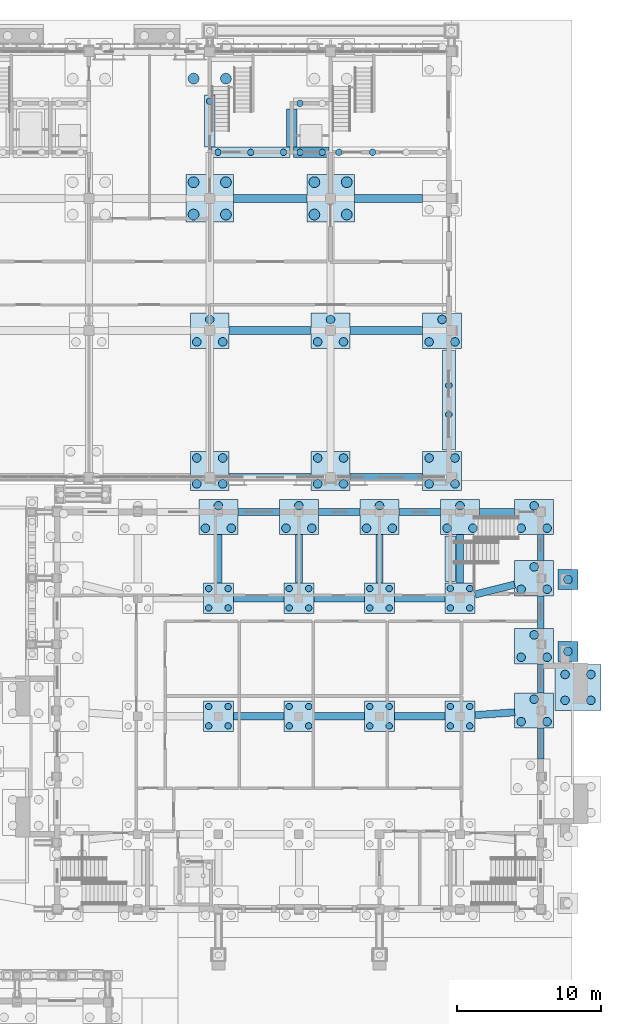
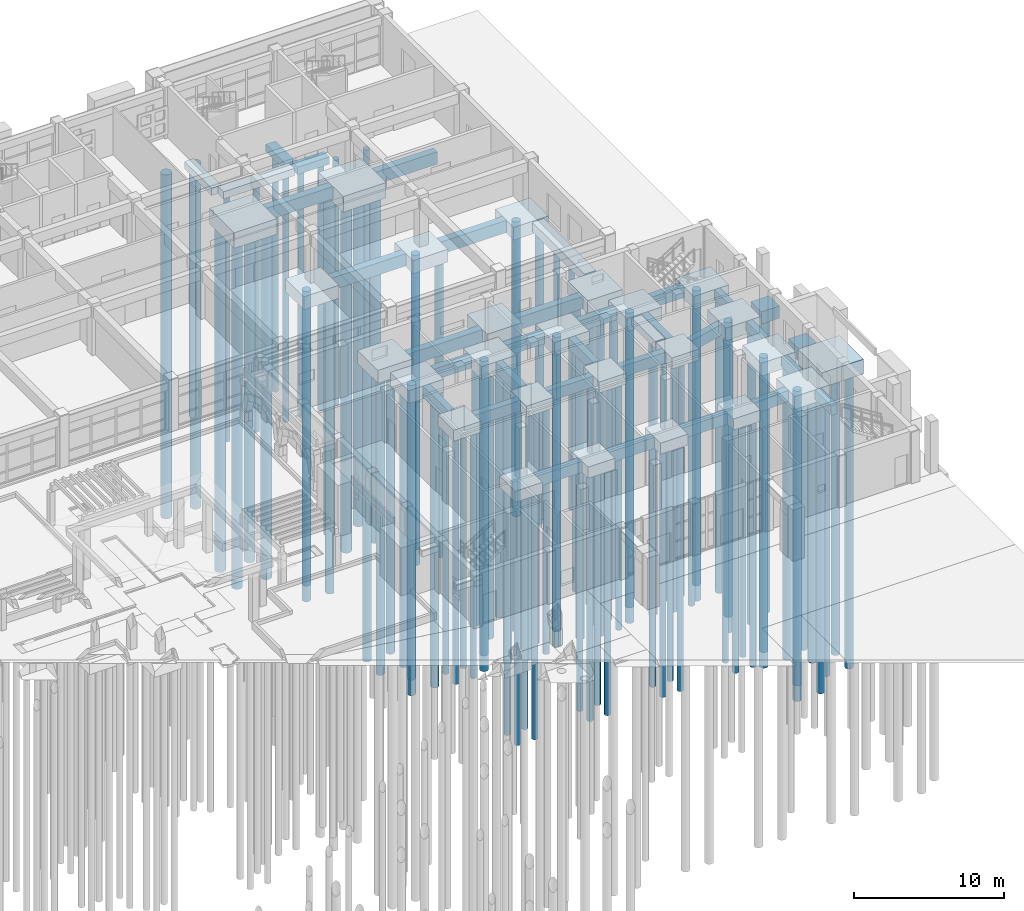
# One storey, part 10 of 112: 104 piles, 59 footings.
"""IFC4 building model written with IfcOpenShell, lengths in metres."""

from ifc_helpers import new_model, si_unit, direction, frame, origin, origin_2d, place, context, subcontext, project, spatial, rectangle, circle, extrude, material, material_profile, profile_set, type_object, element, save


model = new_model("IFC4")

# Units and contexts
model_context = context("Model", 3, precision=1e-05, world=origin(), true_north=direction((0.0, 1.0)))
body_context = subcontext(model_context, "Body", "Model", "MODEL_VIEW")
ifc_project = project(units=[si_unit("LENGTHUNIT", "METRE"), si_unit("AREAUNIT", "SQUARE_METRE"), si_unit("VOLUMEUNIT", "CUBIC_METRE"), si_unit("PLANEANGLEUNIT", "RADIAN"), si_unit("MASSUNIT", "GRAM", prefix="KILO")], contexts=[model_context])

# Site, building, storey
site_placement = place(None, origin())
site = spatial("IfcSite", under=ifc_project, at=site_placement, CompositionType="ELEMENT")
building_placement = place(site_placement, origin())
building = spatial("IfcBuilding", under=site, at=building_placement, Name="Wasatch Bagh Community Centre", CompositionType="ELEMENT")
storey_placement = place(building_placement, origin())
storey = spatial("IfcBuildingStorey", under=building, at=storey_placement, Name="L00", CompositionType="ELEMENT", Elevation=0.0)

# Footings
ifc_material_1 = material(Name="Concrete C35", Category="concrete")
footing_type_1 = type_object("IfcFootingType", Name="FD-GB-B", PredefinedType="FOOTING_BEAM", material=ifc_material_1)
footing_1_placement = place(storey_placement, frame((145.800048828125, 63.324951171875, -1.0), z_axis=(0.0, 0.0, 1.0), x_axis=(0.0, -1.0, 0.0)))
element("IfcFooting", 1, at=footing_1_placement, inside=storey, type_object=footing_type_1, Name="GB ground beam 307", PredefinedType="FOOTING_BEAM", context=body_context, shape_type="SweptSolid", body=[
    extrude(rectangle(XDim=1.791015625, YDim=0.449951171875, at=origin_2d()), origin(), (0.0, 0.0, 1.0), 0.800048828125),
])
footing_2_placement = place(storey_placement, frame((145.800048828125, 49.699951171875, -1.0), z_axis=(0.0, 0.0, 1.0), x_axis=(0.0, 1.0, 0.0)))
element("IfcFooting", 2, at=footing_2_placement, inside=storey, type_object=footing_type_1, Name="GB ground beam 313", PredefinedType="FOOTING_BEAM", context=body_context, shape_type="SweptSolid", body=[
    extrude(rectangle(XDim=2.14111328125, YDim=0.449951171875, at=origin_2d()), origin(), (0.0, 0.0, 1.0), 0.800048828125),
])
footing_3_placement = place(storey_placement, frame((145.800048828125, 54.237548828125, -1.0), z_axis=(0.0, 0.0, 1.0), x_axis=(0.0, 1.0, 0.0)))
element("IfcFooting", 3, at=footing_3_placement, inside=storey, type_object=footing_type_1, Name="GB ground beam 314", PredefinedType="FOOTING_BEAM", context=body_context, shape_type="SweptSolid", body=[
    extrude(rectangle(XDim=2.01611328125, YDim=0.449951171875, at=origin_2d()), origin(), (0.0, 0.0, 1.0), 0.800048828125),
])
footing_4_placement = place(storey_placement, frame((145.800048828125, 58.83740234375, -1.0), z_axis=(0.0, 0.0, 1.0), x_axis=(0.0, 1.0, 0.0)))
element("IfcFooting", 4, at=footing_4_placement, inside=storey, type_object=footing_type_1, Name="GB ground beam 315", PredefinedType="FOOTING_BEAM", context=body_context, shape_type="SweptSolid", body=[
    extrude(rectangle(XDim=2.26611328125, YDim=0.449951171875, at=origin_2d()), origin(), (0.0, 0.0, 1.0), 0.800048828125),
])
footing_type_2 = type_object("IfcFootingType", Name="FD-GB-C", PredefinedType="FOOTING_BEAM", material=ifc_material_1)
for number, where, z_axis, x_axis, name in (
    (5, (126.199951171875, 51.60009765625, -1.099853515625), (0.0, 0.0, 1.0), (1.0, 0.0, 0.0), "GB ground beam 277"),
    (6, (131.800048828125, 51.60009765625, -1.099853515625), (0.0, 0.0, 1.0), (1.0, 0.0, 0.0), "GB ground beam 278"),
    (7, (137.39990234375, 51.60009765625, -1.099853515625), (0.0, 0.0, 1.0), (1.0, 0.0, 0.0), "GB ground beam 279"),
):
    element("IfcFooting", number, at=place(storey_placement, frame(where, z_axis=z_axis, x_axis=x_axis)), inside=storey, type_object=footing_type_2, Name=name, PredefinedType="FOOTING_BEAM", context=body_context, shape_type="SweptSolid", body=[
        extrude(rectangle(XDim=3.5, YDim=0.5, at=origin_2d()), origin(), (0.0, 0.0, 1.0), 0.89990234375),
    ])
footing_5_placement = place(storey_placement, frame((142.625, 51.773193359375, -1.099853515625), z_axis=(0.0, 0.0, 1.0), x_axis=(0.997458699831, 0.071247049988, 0.0)))
element("IfcFooting", 8, at=footing_5_placement, inside=storey, type_object=footing_type_2, Name="GB ground beam 280", PredefinedType="FOOTING_BEAM", context=body_context, shape_type="SweptSolid", body=[
    extrude(rectangle(XDim=2.757080078125, YDim=0.5, at=origin_2d()), origin(), (0.0, 0.0, 1.0), 0.89990234375),
])
footing_6_placement = place(storey_placement, frame((126.199951171875, 59.800048828125, -1.099853515625), z_axis=(0.0, 0.0, 1.0), x_axis=(1.0, 0.0, 0.0)))
element("IfcFooting", 9, at=footing_6_placement, inside=storey, type_object=footing_type_2, Name="GB ground beam 284", PredefinedType="FOOTING_BEAM", context=body_context, shape_type="SweptSolid", body=[
    extrude(rectangle(XDim=3.5, YDim=0.5, at=origin_2d()), origin(), (0.0, 0.0, 1.0), 0.89990234375),
])
footing_7_placement = place(storey_placement, frame((123.39990234375, 62.53515625, -1.099853515625), z_axis=(0.0, 0.0, 1.0), x_axis=(0.0, 1.0, 0.0)))
element("IfcFooting", 10, at=footing_7_placement, inside=storey, type_object=footing_type_2, Name="GB ground beam 285", PredefinedType="FOOTING_BEAM", context=body_context, shape_type="SweptSolid", body=[
    extrude(rectangle(XDim=3.37060546875, YDim=0.5, at=origin_2d()), origin(), (0.0, 0.0, 1.0), 0.89990234375),
])
footing_8_placement = place(storey_placement, frame((131.800048828125, 59.800048828125, -1.099853515625), z_axis=(0.0, 0.0, 1.0), x_axis=(1.0, 0.0, 0.0)))
element("IfcFooting", 11, at=footing_8_placement, inside=storey, type_object=footing_type_2, Name="GB ground beam 286", PredefinedType="FOOTING_BEAM", context=body_context, shape_type="SweptSolid", body=[
    extrude(rectangle(XDim=3.5, YDim=0.5, at=origin_2d()), origin(), (0.0, 0.0, 1.0), 0.89990234375),
])
footing_9_placement = place(storey_placement, frame((129.0, 62.53515625, -1.099853515625), z_axis=(0.0, 0.0, 1.0), x_axis=(0.0, 1.0, 0.0)))
element("IfcFooting", 12, at=footing_9_placement, inside=storey, type_object=footing_type_2, Name="GB ground beam 287", PredefinedType="FOOTING_BEAM", context=body_context, shape_type="SweptSolid", body=[
    extrude(rectangle(XDim=3.37060546875, YDim=0.5, at=origin_2d()), origin(), (0.0, 0.0, 1.0), 0.89990234375),
])
footing_10_placement = place(storey_placement, frame((137.39990234375, 59.800048828125, -1.099853515625), z_axis=(0.0, 0.0, 1.0), x_axis=(1.0, 0.0, 0.0)))
element("IfcFooting", 13, at=footing_10_placement, inside=storey, type_object=footing_type_2, Name="GB ground beam 288", PredefinedType="FOOTING_BEAM", context=body_context, shape_type="SweptSolid", body=[
    extrude(rectangle(XDim=3.5, YDim=0.5, at=origin_2d()), origin(), (0.0, 0.0, 1.0), 0.89990234375),
])
for number, where, z_axis, x_axis, name in (
    (14, (134.60009765625, 62.53515625, -1.099853515625), (0.0, 0.0, 1.0), (0.0, 1.0, 0.0), "GB ground beam 289"),
    (15, (140.199951171875, 62.53515625, -1.099853515625), (0.0, 0.0, 1.0), (0.0, 1.0, 0.0), "GB ground beam 290"),
):
    element("IfcFooting", number, at=place(storey_placement, frame(where, z_axis=z_axis, x_axis=x_axis)), inside=storey, type_object=footing_type_2, Name=name, PredefinedType="FOOTING_BEAM", context=body_context, shape_type="SweptSolid", body=[
        extrude(rectangle(XDim=3.37060546875, YDim=0.5, at=origin_2d()), origin(), (0.0, 0.0, 1.0), 0.89990234375),
    ])
footing_11_placement = place(storey_placement, frame((142.625, 60.40625, -1.099853515625), z_axis=(0.0, 0.0, 1.0), x_axis=(0.970142500145, 0.242535625038, 0.0)))
element("IfcFooting", 16, at=footing_11_placement, inside=storey, type_object=footing_type_2, Name="GB ground beam 291", PredefinedType="FOOTING_BEAM", context=body_context, shape_type="SweptSolid", body=[
    extrude(rectangle(XDim=2.834716796875, YDim=0.5, at=origin_2d()), origin(), (0.0, 0.0, 1.0), 0.89990234375),
])
for number, where, z_axis, x_axis, name in (
    (17, (126.199951171875, 65.800048828125, -1.099853515625), (0.0, 0.0, 1.0), (1.0, 0.0, 0.0), "GB ground beam 303"),
    (18, (131.800048828125, 65.800048828125, -1.099853515625), (0.0, 0.0, 1.0), (1.0, 0.0, 0.0), "GB ground beam 304"),
    (19, (137.39990234375, 65.800048828125, -1.099853515625), (0.0, 0.0, 1.0), (1.0, 0.0, 0.0), "GB ground beam 305"),
):
    element("IfcFooting", number, at=place(storey_placement, frame(where, z_axis=z_axis, x_axis=x_axis)), inside=storey, type_object=footing_type_2, Name=name, PredefinedType="FOOTING_BEAM", context=body_context, shape_type="SweptSolid", body=[
        extrude(rectangle(XDim=2.89990234375, YDim=0.5, at=origin_2d()), origin(), (0.0, 0.0, 1.0), 0.89990234375),
    ])
footing_12_placement = place(storey_placement, frame((142.77490234375, 65.800048828125, -1.099853515625), z_axis=(0.0, 0.0, 1.0), x_axis=(1.0, 0.0, 0.0)))
element("IfcFooting", 20, at=footing_12_placement, inside=storey, type_object=footing_type_2, Name="GB ground beam 306", PredefinedType="FOOTING_BEAM", context=body_context, shape_type="SweptSolid", body=[
    extrude(rectangle(XDim=2.449951171875, YDim=0.5, at=origin_2d()), origin(), (0.0, 0.0, 1.0), 0.89990234375),
])
footing_type_3 = type_object("IfcFootingType", Name="FD-GB-D", PredefinedType="FOOTING_BEAM", material=ifc_material_1)
footing_13_placement = place(storey_placement, frame((127.0, 87.60009765625, -1.199951171875), z_axis=(0.0, 0.0, 1.0), x_axis=(1.0, 0.0, 0.0)))
element("IfcFooting", 21, at=footing_13_placement, inside=storey, type_object=footing_type_3, Name="GB ground beam 195", PredefinedType="FOOTING_BEAM", context=body_context, shape_type="SweptSolid", body=[
    extrude(rectangle(XDim=5.10009765625, YDim=0.550048828125, at=origin_2d()), origin(), (0.0, 0.0, 1.0), 1.0),
])
footing_14_placement = place(storey_placement, frame((135.22509765625, 87.60009765625, -1.199951171875), z_axis=(0.0, 0.0, 1.0), x_axis=(1.0, 0.0, 0.0)))
element("IfcFooting", 22, at=footing_14_placement, inside=storey, type_object=footing_type_3, Name="GB ground beam 196", PredefinedType="FOOTING_BEAM", context=body_context, shape_type="SweptSolid", body=[
    extrude(rectangle(XDim=4.75, YDim=0.550048828125, at=origin_2d()), origin(), (0.0, 0.0, 1.0), 1.0),
])
footing_15_placement = place(storey_placement, frame((127.0, 78.39990234375, -1.199951171875), z_axis=(0.0, 0.0, 1.0), x_axis=(1.0, 0.0, 0.0)))
element("IfcFooting", 23, at=footing_15_placement, inside=storey, type_object=footing_type_3, Name="GB ground beam 204", PredefinedType="FOOTING_BEAM", context=body_context, shape_type="SweptSolid", body=[
    extrude(rectangle(XDim=5.699951171875, YDim=0.550048828125, at=origin_2d()), origin(), (0.0, 0.0, 1.0), 1.0),
])
footing_16_placement = place(storey_placement, frame((135.074951171875, 78.39990234375, -1.199951171875), z_axis=(0.0, 0.0, 1.0), x_axis=(1.0, 0.0, 0.0)))
element("IfcFooting", 24, at=footing_16_placement, inside=storey, type_object=footing_type_3, Name="GB ground beam 205", PredefinedType="FOOTING_BEAM", context=body_context, shape_type="SweptSolid", body=[
    extrude(rectangle(XDim=5.050048828125, YDim=0.550048828125, at=origin_2d()), origin(), (0.0, 0.0, 1.0), 1.0),
])
footing_17_placement = place(storey_placement, frame((127.0, 68.199951171875, -1.199951171875), z_axis=(0.0, 0.0, 1.0), x_axis=(1.0, 0.0, 0.0)))
element("IfcFooting", 25, at=footing_17_placement, inside=storey, type_object=footing_type_3, Name="GB ground beam 222", PredefinedType="FOOTING_BEAM", context=body_context, shape_type="SweptSolid", body=[
    extrude(rectangle(XDim=5.699951171875, YDim=0.550048828125, at=origin_2d()), origin(), (0.0, 0.0, 1.0), 1.0),
])
footing_18_placement = place(storey_placement, frame((135.074951171875, 68.199951171875, -1.199951171875), z_axis=(0.0, 0.0, 1.0), x_axis=(1.0, 0.0, 0.0)))
element("IfcFooting", 26, at=footing_18_placement, inside=storey, type_object=footing_type_3, Name="GB ground beam 223", PredefinedType="FOOTING_BEAM", context=body_context, shape_type="SweptSolid", body=[
    extrude(rectangle(XDim=5.050048828125, YDim=0.550048828125, at=origin_2d()), origin(), (0.0, 0.0, 1.0), 1.0),
])

# Piles
ifc_material_2 = material(Name="Concrete C30", Category="concrete")
ifc_material_profile_1 = material_profile(ifc_material_2, circle(Radius=0.22509765625, at=origin_2d()), Name="RC D450")
ifc_profile_set_1 = profile_set([ifc_material_profile_1], Name="Concrete C30")
pile_type_1 = type_object("IfcPileType", Name="FD-P450", PredefinedType="BORED", material=ifc_profile_set_1)
for number, where, z_axis, x_axis, name in (
    (27, (122.72509765625, 50.925048828125, -1.10009765625), (0.0, 0.0, -1.0), (1.0, 0.0, 0.0), "P pile 274.1"),
    (28, (124.074951171875, 50.925048828125, -1.10009765625), (0.0, 0.0, -1.0), (1.0, 0.0, 0.0), "P pile 274.2"),
    (29, (122.72509765625, 52.27490234375, -1.10009765625), (0.0, 0.0, -1.0), (1.0, 0.0, 0.0), "P pile 274.3"),
    (30, (124.074951171875, 52.27490234375, -1.10009765625), (0.0, 0.0, -1.0), (1.0, 0.0, 0.0), "P pile 274.4"),
    (31, (128.324951171875, 50.925048828125, -1.10009765625), (0.0, 0.0, -1.0), (1.0, 0.0, 0.0), "P pile 275.1"),
    (32, (129.675048828125, 50.925048828125, -1.10009765625), (0.0, 0.0, -1.0), (1.0, 0.0, 0.0), "P pile 275.2"),
    (33, (128.324951171875, 52.27490234375, -1.10009765625), (0.0, 0.0, -1.0), (1.0, 0.0, 0.0), "P pile 275.3"),
    (34, (129.675048828125, 52.27490234375, -1.10009765625), (0.0, 0.0, -1.0), (1.0, 0.0, 0.0), "P pile 275.4"),
    (35, (133.925048828125, 50.925048828125, -1.10009765625), (0.0, 0.0, -1.0), (1.0, 0.0, 0.0), "P pile 276.1"),
    (36, (135.27490234375, 50.925048828125, -1.10009765625), (0.0, 0.0, -1.0), (1.0, 0.0, 0.0), "P pile 276.2"),
    (37, (133.925048828125, 52.27490234375, -1.10009765625), (0.0, 0.0, -1.0), (1.0, 0.0, 0.0), "P pile 276.3"),
    (38, (135.27490234375, 52.27490234375, -1.10009765625), (0.0, 0.0, -1.0), (1.0, 0.0, 0.0), "P pile 276.4"),
    (39, (139.52490234375, 50.925048828125, -1.10009765625), (0.0, 0.0, -1.0), (1.0, 0.0, 0.0), "P pile 277.1"),
    (40, (140.875, 50.925048828125, -1.10009765625), (0.0, 0.0, -1.0), (1.0, 0.0, 0.0), "P pile 277.2"),
    (41, (139.52490234375, 52.27490234375, -1.10009765625), (0.0, 0.0, -1.0), (1.0, 0.0, 0.0), "P pile 277.3"),
    (42, (140.875, 52.27490234375, -1.10009765625), (0.0, 0.0, -1.0), (1.0, 0.0, 0.0), "P pile 277.4"),
    (43, (122.72509765625, 59.125, -1.10009765625), (0.0, 0.0, -1.0), (1.0, 0.0, 0.0), "P pile 283.1"),
    (44, (124.074951171875, 59.125, -1.10009765625), (0.0, 0.0, -1.0), (1.0, 0.0, 0.0), "P pile 283.2"),
    (45, (122.72509765625, 60.47509765625, -1.10009765625), (0.0, 0.0, -1.0), (1.0, 0.0, 0.0), "P pile 283.3"),
    (46, (124.074951171875, 60.47509765625, -1.10009765625), (0.0, 0.0, -1.0), (1.0, 0.0, 0.0), "P pile 283.4"),
    (47, (128.324951171875, 59.125, -1.10009765625), (0.0, 0.0, -1.0), (1.0, 0.0, 0.0), "P pile 284.1"),
    (48, (129.675048828125, 59.125, -1.10009765625), (0.0, 0.0, -1.0), (1.0, 0.0, 0.0), "P pile 284.2"),
    (49, (128.324951171875, 60.47509765625, -1.10009765625), (0.0, 0.0, -1.0), (1.0, 0.0, 0.0), "P pile 284.3"),
    (50, (129.675048828125, 60.47509765625, -1.10009765625), (0.0, 0.0, -1.0), (1.0, 0.0, 0.0), "P pile 284.4"),
    (51, (133.925048828125, 59.125, -1.10009765625), (0.0, 0.0, -1.0), (1.0, 0.0, 0.0), "P pile 285.1"),
    (52, (135.27490234375, 59.125, -1.10009765625), (0.0, 0.0, -1.0), (1.0, 0.0, 0.0), "P pile 285.2"),
    (53, (133.925048828125, 60.47509765625, -1.10009765625), (0.0, 0.0, -1.0), (1.0, 0.0, 0.0), "P pile 285.3"),
    (54, (135.27490234375, 60.47509765625, -1.10009765625), (0.0, 0.0, -1.0), (1.0, 0.0, 0.0), "P pile 285.4"),
    (55, (139.52490234375, 59.125, -1.10009765625), (0.0, 0.0, -1.0), (1.0, 0.0, 0.0), "P pile 286.1"),
    (56, (140.875, 59.125, -1.10009765625), (0.0, 0.0, -1.0), (1.0, 0.0, 0.0), "P pile 286.2"),
    (57, (139.52490234375, 60.47509765625, -1.10009765625), (0.0, 0.0, -1.0), (1.0, 0.0, 0.0), "P pile 286.3"),
    (58, (140.875, 60.47509765625, -1.10009765625), (0.0, 0.0, -1.0), (1.0, 0.0, 0.0), "P pile 286.4"),
    (59, (123.375, 90.800048828125, -0.800048828125), (0.0, 0.0, -1.0), (1.0, 0.0, 0.0), "P pile SF27.1"),
    (60, (125.64990234375, 90.800048828125, -0.800048828125), (0.0, 0.0, -1.0), (1.0, 0.0, 0.0), "P pile SF27.2"),
    (61, (127.925048828125, 90.800048828125, -0.800048828125), (0.0, 0.0, -1.0), (1.0, 0.0, 0.0), "P pile SF27.3"),
    (62, (129.074951171875, 90.800048828125, -0.800048828125), (0.0, 0.0, -1.0), (1.0, 0.0, 0.0), "P pile SF28.1"),
    (63, (130.625, 90.800048828125, -0.800048828125), (0.0, 0.0, -1.0), (1.0, 0.0, 0.0), "P pile SF28.2"),
    (64, (131.77490234375, 90.800048828125, -0.800048828125), (0.0, 0.0, -1.0), (1.0, 0.0, 0.0), "P pile SF29.1"),
    (65, (134.11669921875, 90.800048828125, -0.800048828125), (0.0, 0.0, -1.0), (1.0, 0.0, 0.0), "P pile SF29.2"),
    (66, (129.074951171875, 94.199951171875, -0.800048828125), (0.0, 0.0, -1.0), (1.0, 0.0, 0.0), "P pile SF33.1"),
    (67, (122.800048828125, 94.35009765625, -0.800048828125), (0.0, 0.0, -1.0), (1.0, 0.0, 0.0), "P pile SF42.1"),
    (68, (139.425048828125, 74.596923828125, -0.949951171875), (0.0, 0.0, -1.0), (1.0, 0.0, 0.0), "P pile SF44.1"),
    (69, (139.425048828125, 72.573486328125, -0.949951171875), (0.0, 0.0, -1.0), (1.0, 0.0, 0.0), "P pile SF44.2"),
):
    element("IfcPile", number, at=place(storey_placement, frame(where, z_axis=z_axis, x_axis=x_axis)), inside=storey, type_object=pile_type_1, Name=name, PredefinedType="BORED", context=body_context, shape_type="SweptSolid", body=[
        extrude(circle(Radius=0.22509765625, at=origin_2d()), origin(), (0.0, 0.0, 1.0), 20.0),
    ])
ifc_material_profile_2 = material_profile(ifc_material_2, circle(Radius=0.300048828125, at=origin_2d()), Name="RC D600")
ifc_profile_set_2 = profile_set([ifc_material_profile_2], Name="Concrete C30")
pile_type_2 = type_object("IfcPileType", Name="FD-P600", PredefinedType="BORED", material=ifc_profile_set_2)
for number, where, z_axis, x_axis, name in (
    (70, (147.5, 54.5, -1.199951171875), (0.0, 0.0, -1.0), (1.0, 0.0, 0.0), "SHEQ.pile.L00.PIER1.1"),
    (71, (147.5, 52.699951171875, -1.199951171875), (0.0, 0.0, -1.0), (1.0, 0.0, 0.0), "SHEQ.pile.L00.PIER1.2"),
    (72, (149.300048828125, 54.5, -1.199951171875), (0.0, 0.0, -1.0), (1.0, 0.0, 0.0), "SHEQ.pile.L00.PIER1.3"),
    (73, (149.300048828125, 52.699951171875, -1.199951171875), (0.0, 0.0, -1.0), (1.0, 0.0, 0.0), "SHEQ.pile.L00.PIER1.4"),
    (74, (147.699951171875, 56.10009765625, -1.199951171875), (0.0, 0.0, -1.0), (1.0, 0.0, 0.0), "SHB.pile.L00.B21"),
    (75, (147.699951171875, 61.10009765625, -1.199951171875), (0.0, 0.0, -1.0), (1.0, 0.0, 0.0), "SHB.pile.L00.B22"),
    (76, (121.89990234375, 67.75, -1.25), (0.0, 0.0, -1.0), (1.0, 0.0, 0.0), "P pile 177.1"),
    (77, (123.699951171875, 67.75, -1.25), (0.0, 0.0, -1.0), (1.0, 0.0, 0.0), "P pile 177.2"),
    (78, (121.89990234375, 69.550048828125, -1.25), (0.0, 0.0, -1.0), (1.0, 0.0, 0.0), "P pile 177.3"),
    (79, (123.699951171875, 69.550048828125, -1.25), (0.0, 0.0, -1.0), (1.0, 0.0, 0.0), "P pile 177.4"),
    (80, (130.300048828125, 67.75, -1.25), (0.0, 0.0, -1.0), (1.0, 0.0, 0.0), "P pile 178.1"),
    (81, (132.10009765625, 67.75, -1.25), (0.0, 0.0, -1.0), (1.0, 0.0, 0.0), "P pile 178.2"),
    (82, (130.300048828125, 69.550048828125, -1.25), (0.0, 0.0, -1.0), (1.0, 0.0, 0.0), "P pile 178.3"),
    (83, (132.10009765625, 69.550048828125, -1.25), (0.0, 0.0, -1.0), (1.0, 0.0, 0.0), "P pile 178.4"),
    (84, (138.050048828125, 67.75, -1.25), (0.0, 0.0, -1.0), (1.0, 0.0, 0.0), "P pile 179.1"),
    (85, (139.85009765625, 67.75, -1.25), (0.0, 0.0, -1.0), (1.0, 0.0, 0.0), "P pile 179.2"),
    (86, (138.050048828125, 69.550048828125, -1.25), (0.0, 0.0, -1.0), (1.0, 0.0, 0.0), "P pile 179.3"),
    (87, (139.85009765625, 69.550048828125, -1.25), (0.0, 0.0, -1.0), (1.0, 0.0, 0.0), "P pile 179.4"),
    (88, (121.89990234375, 77.62060546875, -1.25), (0.0, 0.0, -1.0), (1.0, 0.0, 0.0), "P pile 188.1"),
    (89, (123.699951171875, 77.62060546875, -1.25), (0.0, 0.0, -1.0), (1.0, 0.0, 0.0), "P pile 188.2"),
    (90, (122.800048828125, 79.179443359375, -1.25), (0.0, 0.0, -1.0), (1.0, 0.0, 0.0), "P pile 188.3"),
    (91, (130.300048828125, 77.62060546875, -1.25), (0.0, 0.0, -1.0), (1.0, 0.0, 0.0), "P pile 189.1"),
    (92, (132.10009765625, 77.62060546875, -1.25), (0.0, 0.0, -1.0), (1.0, 0.0, 0.0), "P pile 189.2"),
    (93, (131.199951171875, 79.179443359375, -1.25), (0.0, 0.0, -1.0), (1.0, 0.0, 0.0), "P pile 189.3"),
    (94, (138.050048828125, 77.62060546875, -1.25), (0.0, 0.0, -1.0), (1.0, 0.0, 0.0), "P pile 190.1"),
    (95, (139.85009765625, 77.62060546875, -1.25), (0.0, 0.0, -1.0), (1.0, 0.0, 0.0), "P pile 190.2"),
    (96, (138.949951171875, 79.179443359375, -1.25), (0.0, 0.0, -1.0), (1.0, 0.0, 0.0), "P pile 190.3"),
    (97, (144.449951171875, 51.220458984375, -1.25), (0.0, 0.0, -1.0), (1.0, 0.0, 0.0), "P pile 279.1"),
    (98, (146.25, 51.220458984375, -1.25), (0.0, 0.0, -1.0), (1.0, 0.0, 0.0), "P pile 279.2"),
    (99, (145.35009765625, 52.779541015625, -1.25), (0.0, 0.0, -1.0), (1.0, 0.0, 0.0), "P pile 279.3"),
    (100, (144.449951171875, 55.695556640625, -1.25), (0.0, 0.0, -1.0), (1.0, 0.0, 0.0), "P pile 280.1"),
    (101, (146.25, 55.695556640625, -1.25), (0.0, 0.0, -1.0), (1.0, 0.0, 0.0), "P pile 280.2"),
    (102, (145.35009765625, 57.25439453125, -1.25), (0.0, 0.0, -1.0), (1.0, 0.0, 0.0), "P pile 280.3"),
    (103, (144.449951171875, 60.42041015625, -1.25), (0.0, 0.0, -1.0), (1.0, 0.0, 0.0), "P pile 288.1"),
    (104, (146.25, 60.42041015625, -1.25), (0.0, 0.0, -1.0), (1.0, 0.0, 0.0), "P pile 288.2"),
    (105, (145.35009765625, 61.9794921875, -1.25), (0.0, 0.0, -1.0), (1.0, 0.0, 0.0), "P pile 288.3"),
    (106, (122.5, 64.67041015625, -1.25), (0.0, 0.0, -1.0), (1.0, 0.0, 0.0), "P pile 291.1"),
    (107, (124.300048828125, 64.67041015625, -1.25), (0.0, 0.0, -1.0), (1.0, 0.0, 0.0), "P pile 291.2"),
    (108, (123.39990234375, 66.2294921875, -1.25), (0.0, 0.0, -1.0), (1.0, 0.0, 0.0), "P pile 291.3"),
    (109, (128.10009765625, 64.67041015625, -1.25), (0.0, 0.0, -1.0), (1.0, 0.0, 0.0), "P pile 292.1"),
    (110, (129.89990234375, 64.67041015625, -1.25), (0.0, 0.0, -1.0), (1.0, 0.0, 0.0), "P pile 292.2"),
    (111, (129.0, 66.2294921875, -1.25), (0.0, 0.0, -1.0), (1.0, 0.0, 0.0), "P pile 292.3"),
    (112, (133.699951171875, 64.67041015625, -1.25), (0.0, 0.0, -1.0), (1.0, 0.0, 0.0), "P pile 293.1"),
    (113, (135.5, 64.67041015625, -1.25), (0.0, 0.0, -1.0), (1.0, 0.0, 0.0), "P pile 293.2"),
    (114, (134.60009765625, 66.2294921875, -1.25), (0.0, 0.0, -1.0), (1.0, 0.0, 0.0), "P pile 293.3"),
    (115, (139.300048828125, 64.67041015625, -1.25), (0.0, 0.0, -1.0), (1.0, 0.0, 0.0), "P pile 294.1"),
    (116, (141.10009765625, 64.67041015625, -1.25), (0.0, 0.0, -1.0), (1.0, 0.0, 0.0), "P pile 294.2"),
    (117, (140.199951171875, 66.2294921875, -1.25), (0.0, 0.0, -1.0), (1.0, 0.0, 0.0), "P pile 294.3"),
    (118, (144.449951171875, 64.67041015625, -1.25), (0.0, 0.0, -1.0), (1.0, 0.0, 0.0), "P pile 295.1"),
    (119, (146.25, 64.67041015625, -1.25), (0.0, 0.0, -1.0), (1.0, 0.0, 0.0), "P pile 295.2"),
    (120, (145.35009765625, 66.2294921875, -1.25), (0.0, 0.0, -1.0), (1.0, 0.0, 0.0), "P pile 295.3"),
):
    element("IfcPile", number, at=place(storey_placement, frame(where, z_axis=z_axis, x_axis=x_axis)), inside=storey, type_object=pile_type_2, Name=name, PredefinedType="BORED", context=body_context, shape_type="SweptSolid", body=[
        extrude(circle(Radius=0.300048828125, at=origin_2d()), origin(), (0.0, 0.0, 1.0), 24.0),
    ])
ifc_material_profile_3 = material_profile(ifc_material_2, circle(Radius=0.375, at=origin_2d()), Name="RC D750")
ifc_profile_set_3 = profile_set([ifc_material_profile_3], Name="Concrete C30")
pile_type_3 = type_object("IfcPileType", Name="FD-P750", PredefinedType="BORED", material=ifc_profile_set_3)
for number, where, z_axis, x_axis, name in (
    (121, (121.675048828125, 86.47509765625, -1.469970703125), (0.0, 0.0, -1.0), (1.0, 0.0, 0.0), "P pile 198.1"),
    (122, (123.925048828125, 86.47509765625, -1.469970703125), (0.0, 0.0, -1.0), (1.0, 0.0, 0.0), "P pile 198.2"),
    (123, (121.675048828125, 88.72509765625, -1.469970703125), (0.0, 0.0, -1.0), (1.0, 0.0, 0.0), "P pile 198.3"),
    (124, (123.925048828125, 88.72509765625, -1.469970703125), (0.0, 0.0, -1.0), (1.0, 0.0, 0.0), "P pile 198.4"),
    (125, (130.074951171875, 86.47509765625, -1.469970703125), (0.0, 0.0, -1.0), (1.0, 0.0, 0.0), "P pile 199.1"),
    (126, (132.324951171875, 86.47509765625, -1.469970703125), (0.0, 0.0, -1.0), (1.0, 0.0, 0.0), "P pile 199.2"),
    (127, (130.074951171875, 88.72509765625, -1.469970703125), (0.0, 0.0, -1.0), (1.0, 0.0, 0.0), "P pile 199.3"),
    (128, (132.324951171875, 88.72509765625, -1.469970703125), (0.0, 0.0, -1.0), (1.0, 0.0, 0.0), "P pile 199.4"),
    (129, (121.675048828125, 95.925048828125, -1.469970703125), (0.0, 0.0, -1.0), (1.0, 0.0, 0.0), "P pile 207.1"),
    (130, (123.925048828125, 95.925048828125, -1.469970703125), (0.0, 0.0, -1.0), (1.0, 0.0, 0.0), "P pile 207.2"),
):
    element("IfcPile", number, at=place(storey_placement, frame(where, z_axis=z_axis, x_axis=x_axis)), inside=storey, type_object=pile_type_3, Name=name, PredefinedType="BORED", context=body_context, shape_type="SweptSolid", body=[
        extrude(circle(Radius=0.375, at=origin_2d()), origin(), (0.0, 0.0, 1.0), 28.0),
    ])

# Footings
footing_type_4 = type_object("IfcFootingType", Name="FD-PC4", PredefinedType="PILE_CAP", material=ifc_material_2)
for number, where, z_axis, x_axis, name in (
    (131, (123.39990234375, 51.60009765625, -1.099853515625), (0.0, 0.0, 1.0), (1.0, 0.0, 0.0), "PC cap 274"),
    (132, (129.0, 51.60009765625, -1.099853515625), (0.0, 0.0, 1.0), (1.0, 0.0, 0.0), "PC cap 275"),
    (133, (134.60009765625, 51.60009765625, -1.099853515625), (0.0, 0.0, 1.0), (1.0, 0.0, 0.0), "PC cap 276"),
    (134, (140.199951171875, 51.60009765625, -1.099853515625), (0.0, 0.0, 1.0), (1.0, 0.0, 0.0), "PC cap 277"),
    (135, (123.39990234375, 59.800048828125, -1.099853515625), (0.0, 0.0, 1.0), (1.0, 0.0, 0.0), "PC cap 283"),
    (136, (129.0, 59.800048828125, -1.099853515625), (0.0, 0.0, 1.0), (1.0, 0.0, 0.0), "PC cap 284"),
    (137, (134.60009765625, 59.800048828125, -1.099853515625), (0.0, 0.0, 1.0), (1.0, 0.0, 0.0), "PC cap 285"),
    (138, (140.199951171875, 59.800048828125, -1.099853515625), (0.0, 0.0, 1.0), (1.0, 0.0, 0.0), "PC cap 286"),
):
    element("IfcFooting", number, at=place(storey_placement, frame(where, z_axis=z_axis, x_axis=x_axis)), inside=storey, type_object=footing_type_4, Name=name, PredefinedType="PILE_CAP", context=body_context, shape_type="SweptSolid", body=[
        extrude(rectangle(XDim=2.10009765625, YDim=2.10009765625, at=origin_2d()), origin(), (0.0, 0.0, 1.0), 0.89990234375),
    ])
footing_type_5 = type_object("IfcFootingType", Name="FD-PC5", PredefinedType="PILE_CAP", material=ifc_material_2)
for number, where, z_axis, x_axis, name in (
    (139, (122.800048828125, 78.39990234375, -1.25), (0.0, 0.0, 1.0), (1.0, 0.0, 0.0), "PC cap 188"),
    (140, (131.199951171875, 78.39990234375, -1.25), (0.0, 0.0, 1.0), (1.0, 0.0, 0.0), "PC cap 189"),
    (141, (138.949951171875, 78.39990234375, -1.25), (0.0, 0.0, 1.0), (1.0, 0.0, 0.0), "PC cap 190"),
    (142, (145.35009765625, 52.0, -1.25), (0.0, 0.0, 1.0), (1.0, 0.0, 0.0), "PC cap 279"),
    (143, (145.35009765625, 56.47509765625, -1.25), (0.0, 0.0, 1.0), (1.0, 0.0, 0.0), "PC cap 280"),
    (144, (145.35009765625, 61.199951171875, -1.25), (0.0, 0.0, 1.0), (1.0, 0.0, 0.0), "PC cap 288"),
    (145, (123.39990234375, 65.449951171875, -1.25), (0.0, 0.0, 1.0), (1.0, 0.0, 0.0), "PC cap 291"),
    (146, (129.0, 65.449951171875, -1.25), (0.0, 0.0, 1.0), (1.0, 0.0, 0.0), "PC cap 292"),
    (147, (134.60009765625, 65.449951171875, -1.25), (0.0, 0.0, 1.0), (1.0, 0.0, 0.0), "PC cap 293"),
    (148, (140.199951171875, 65.449951171875, -1.25), (0.0, 0.0, 1.0), (1.0, 0.0, 0.0), "PC cap 294"),
    (149, (145.35009765625, 65.449951171875, -1.25), (0.0, 0.0, 1.0), (1.0, 0.0, 0.0), "PC cap 295"),
):
    element("IfcFooting", number, at=place(storey_placement, frame(where, z_axis=z_axis, x_axis=x_axis)), inside=storey, type_object=footing_type_5, Name=name, PredefinedType="PILE_CAP", context=body_context, shape_type="SweptSolid", body=[
        extrude(rectangle(XDim=2.699951171875, YDim=2.458984375, at=origin_2d()), origin(), (0.0, 0.0, 1.0), 1.050048828125),
    ])
footing_type_6 = type_object("IfcFootingType", Name="FD-PC6", PredefinedType="PILE_CAP", material=ifc_material_2)
for number, where, z_axis, x_axis, name in (
    (150, (122.800048828125, 68.64990234375, -1.25), (0.0, 0.0, 1.0), (1.0, 0.0, 0.0), "PC cap 177"),
    (151, (131.199951171875, 68.64990234375, -1.25), (0.0, 0.0, 1.0), (1.0, 0.0, 0.0), "PC cap 178"),
    (152, (138.949951171875, 68.64990234375, -1.25), (0.0, 0.0, 1.0), (1.0, 0.0, 0.0), "PC cap 179"),
):
    element("IfcFooting", number, at=place(storey_placement, frame(where, z_axis=z_axis, x_axis=x_axis)), inside=storey, type_object=footing_type_6, Name=name, PredefinedType="PILE_CAP", context=body_context, shape_type="SweptSolid", body=[
        extrude(rectangle(XDim=2.699951171875, YDim=2.699951171875, at=origin_2d()), origin(), (0.0, 0.0, 1.0), 1.050048828125),
    ])
footing_type_7 = type_object("IfcFootingType", Name="FD-PC8", PredefinedType="PILE_CAP", material=ifc_material_2)
for number, where, z_axis, x_axis, name in (
    (153, (122.800048828125, 87.60009765625, -1.469970703125), (0.0, 0.0, 1.0), (1.0, 0.0, 0.0), "PC cap 198"),
    (154, (131.199951171875, 87.60009765625, -1.469970703125), (0.0, 0.0, 1.0), (1.0, 0.0, 0.0), "PC cap 199"),
):
    element("IfcFooting", number, at=place(storey_placement, frame(where, z_axis=z_axis, x_axis=x_axis)), inside=storey, type_object=footing_type_7, Name=name, PredefinedType="PILE_CAP", context=body_context, shape_type="SweptSolid", body=[
        extrude(rectangle(XDim=3.300048828125, YDim=3.300048828125, at=origin_2d()), origin(), (0.0, 0.0, 1.0), 1.27001953125),
    ])
footing_type_8 = type_object("IfcFootingType", Name="FD-SF3", PredefinedType="STRIP_FOOTING", material=ifc_material_2)
footing_19_placement = place(storey_placement, frame((125.64990234375, 90.800048828125, -0.800048828125), z_axis=(0.0, 0.0, 1.0), x_axis=(1.0, 0.0, 0.0)))
element("IfcFooting", 155, at=footing_19_placement, inside=storey, type_object=footing_type_8, Name="SF wall footing 27", PredefinedType="STRIP_FOOTING", context=body_context, shape_type="SweptSolid", body=[
    extrude(rectangle(XDim=5.449951171875, YDim=0.75, at=origin_2d()), origin(), (0.0, 0.0, 1.0), 0.60009765625),
])
footing_20_placement = place(storey_placement, frame((129.85009765625, 90.800048828125, -0.800048828125), z_axis=(0.0, 0.0, 1.0), x_axis=(1.0, 0.0, 0.0)))
element("IfcFooting", 156, at=footing_20_placement, inside=storey, type_object=footing_type_8, Name="SF wall footing 28", PredefinedType="STRIP_FOOTING", context=body_context, shape_type="SweptSolid", body=[
    extrude(rectangle(XDim=2.449951171875, YDim=0.75, at=origin_2d()), origin(), (0.0, 0.0, 1.0), 0.60009765625),
])
footing_21_placement = place(storey_placement, frame((122.800048828125, 92.987548828125, -0.800048828125), z_axis=(0.0, 0.0, 1.0), x_axis=(0.0, 1.0, 0.0)))
element("IfcFooting", 157, at=footing_21_placement, inside=storey, type_object=footing_type_8, Name="SF wall footing 42", PredefinedType="STRIP_FOOTING", context=body_context, shape_type="SweptSolid", body=[
    extrude(rectangle(XDim=3.625, YDim=0.75, at=origin_2d()), origin(), (0.0, 0.0, 1.0), 0.60009765625),
])
footing_22_placement = place(storey_placement, frame((128.5, 92.5, -0.800048828125), z_axis=(0.0, 0.0, 1.0), x_axis=(0.0, 1.0, 0.0)))
element("IfcFooting", 158, at=footing_22_placement, inside=storey, type_object=footing_type_8, Name="SF wall footing 43", PredefinedType="STRIP_FOOTING", context=body_context, shape_type="SweptSolid", body=[
    extrude(rectangle(XDim=2.64990234375, YDim=0.75, at=origin_2d()), origin(), (0.0, 0.0, 1.0), 0.60009765625),
])
footing_23_placement = place(storey_placement, frame((139.52490234375, 62.53515625, -0.800048828125), z_axis=(0.0, 0.0, 1.0), x_axis=(0.0, 1.0, 0.0)))
element("IfcFooting", 159, at=footing_23_placement, inside=storey, type_object=footing_type_8, Name="SF wall footing 51", PredefinedType="STRIP_FOOTING", context=body_context, shape_type="SweptSolid", body=[
    extrude(rectangle(XDim=3.17041015625, YDim=0.75, at=origin_2d()), origin(), (0.0, 0.0, 1.0), 0.60009765625),
])
footing_type_9 = type_object("IfcFootingType", Name="FD-SF4", PredefinedType="STRIP_FOOTING", material=ifc_material_2)
footing_24_placement = place(storey_placement, frame((139.425048828125, 73.585205078125, -0.949951171875), z_axis=(0.0, 0.0, 1.0), x_axis=(0.0, -1.0, 0.0)))
element("IfcFooting", 160, at=footing_24_placement, inside=storey, type_object=footing_type_9, Name="SF wall footing 44", PredefinedType="STRIP_FOOTING", context=body_context, shape_type="SweptSolid", body=[
    extrude(rectangle(XDim=6.970458984375, YDim=0.89990234375, at=origin_2d()), origin(), (0.0, 0.0, 1.0), 0.75),
])
footing_type_10 = type_object("IfcFootingType", Name="SHB-F2", PredefinedType="PILE_CAP", material=ifc_material_2)
for number, where, z_axis, x_axis, name in (
    (161, (147.699951171875, 56.10009765625, -1.199951171875), (0.0, 0.0, 1.0), (1.0, 0.0, 0.0), "Gable arcade pier cap 2.1"),
    (162, (147.699951171875, 61.10009765625, -1.199951171875), (0.0, 0.0, 1.0), (1.0, 0.0, 0.0), "Gable arcade pier cap 2.2"),
):
    element("IfcFooting", number, at=place(storey_placement, frame(where, z_axis=z_axis, x_axis=x_axis)), inside=storey, type_object=footing_type_10, Name=name, PredefinedType="PILE_CAP", context=body_context, shape_type="SweptSolid", body=[
        extrude(rectangle(XDim=1.39990234375, YDim=1.39990234375, at=origin_2d()), origin(), (0.0, 0.0, 1.0), 1.0),
    ])
footing_type_11 = type_object("IfcFootingType", Name="SHEQ-F2", PredefinedType="PILE_CAP", material=ifc_material_2)
footing_25_placement = place(storey_placement, frame((148.39990234375, 53.60009765625, -1.2001953125), z_axis=(0.0, 0.0, 1.0), x_axis=(1.0, 0.0, 0.0)))
element("IfcFooting", 163, at=footing_25_placement, inside=storey, type_object=footing_type_11, Name="Iwan flank 1 cap", PredefinedType="PILE_CAP", context=body_context, shape_type="SweptSolid", body=[
    extrude(rectangle(XDim=3.199951171875, YDim=3.199951171875, at=origin_2d()), origin(), (0.0, 0.0, 1.0), 1.199951171875),
])

save(model, "model.ifc")
